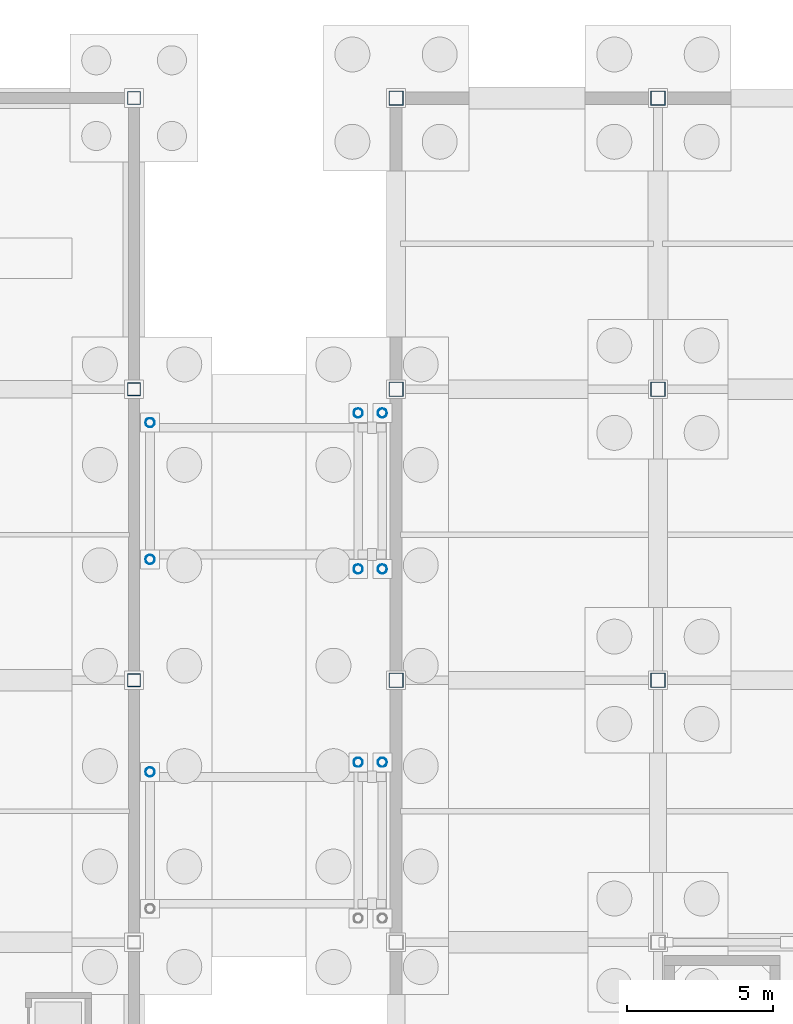
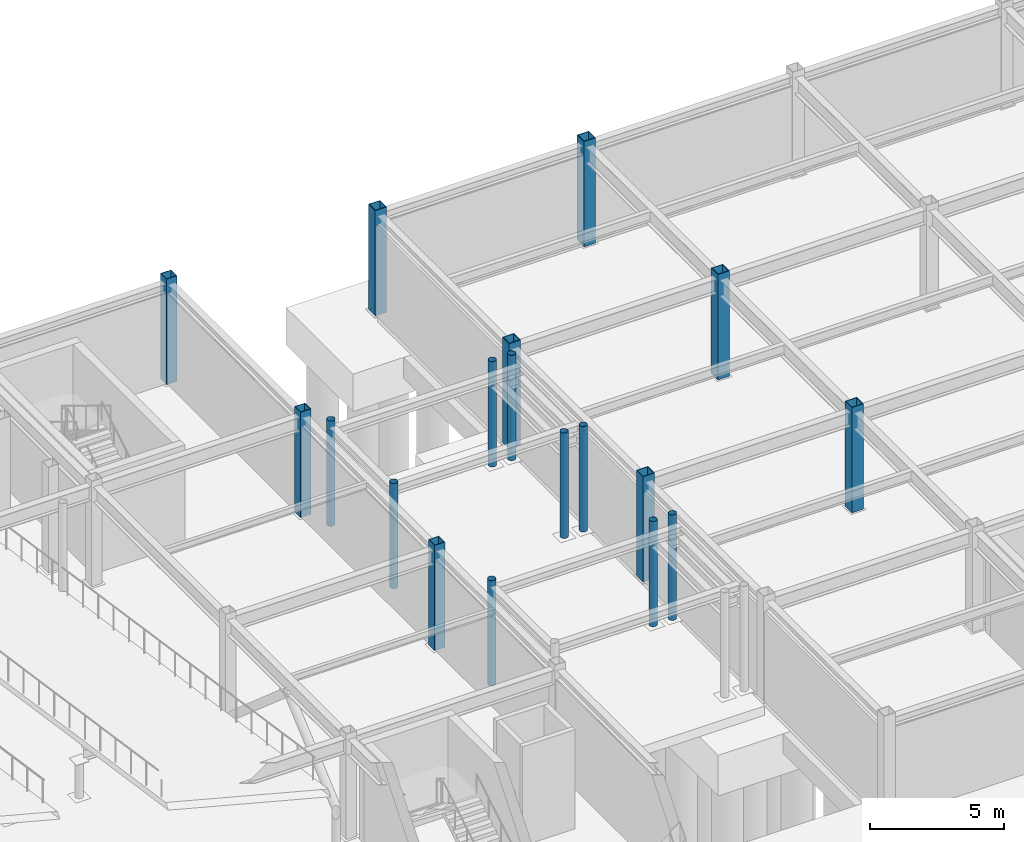
# One storey, part 27 of 74: 18 columns.
"""IFC4 building model written with IfcOpenShell, lengths in metres."""

from ifc_helpers import new_model, si_unit, direction, frame, origin, origin_2d, place, context, subcontext, project, spatial, hollow_rectangle, hollow_circle, extrude, material, material_profile, profile_set, type_object, element, save


model = new_model("IFC4")

# Units and contexts
model_context = context("Model", 3, precision=1e-05, world=origin(), true_north=direction((0.0, 1.0)))
body_context = subcontext(model_context, "Body", "Model", "MODEL_VIEW")
ifc_project = project(units=[si_unit("LENGTHUNIT", "METRE"), si_unit("AREAUNIT", "SQUARE_METRE"), si_unit("VOLUMEUNIT", "CUBIC_METRE"), si_unit("PLANEANGLEUNIT", "RADIAN"), si_unit("MASSUNIT", "GRAM", prefix="KILO")], contexts=[model_context])

# Site, building, storey
site_placement = place(None, origin())
site = spatial("IfcSite", under=ifc_project, at=site_placement, CompositionType="ELEMENT")
building_placement = place(site_placement, origin())
building = spatial("IfcBuilding", under=site, at=building_placement, Name="Suzunagisa Mobility Hub", CompositionType="ELEMENT")
storey_placement = place(building_placement, frame((0.0, 0.0, -4.800048828125)))
storey = spatial("IfcBuildingStorey", under=building, at=storey_placement, Name="B1", CompositionType="ELEMENT", Elevation=-4.800048828125)

# Columns
ifc_material = material(Name="Steel SN490B", Category="steel")
ifc_material_profile_1 = material_profile(ifc_material, hollow_circle(Radius=0.1591796875, WallThickness=0.01025390625, at=origin_2d()), Name="CHS-318.5x10.3")
ifc_profile_set_1 = profile_set([ifc_material_profile_1], Name="Steel SN490B")
column_type_1 = type_object("IfcColumnType", Name="Steel Column CL-09 CHS-318.5x10.3", PredefinedType="COLUMN", material=ifc_profile_set_1)
for number, where, z_axis, x_axis, name in (
    (1, (36.550048828125, 94.85009765625, 0.0), (0.0, 0.0, 1.0), (1.0, 0.0, 0.0), "B1 Column 93"),
    (2, (36.550048828125, 102.14990234375, 0.0), (0.0, 0.0, 1.0), (1.0, 0.0, 0.0), "B1 Column 94"),
    (3, (36.550048828125, 106.85009765625, 0.0), (0.0, 0.0, 1.0), (1.0, 0.0, 0.0), "B1 Column 95"),
    (4, (43.699951171875, 95.179931640625, 0.0), (0.0, 0.0, 1.0), (1.0, 0.0, 0.0), "B1 Column 106"),
    (5, (43.699951171875, 101.820068359375, 0.0), (0.0, 0.0, 1.0), (1.0, 0.0, 0.0), "B1 Column 107"),
    (6, (43.699951171875, 107.179931640625, 0.0), (0.0, 0.0, 1.0), (1.0, 0.0, 0.0), "B1 Column 108"),
    (7, (44.530029296875, 95.179931640625, 0.0), (0.0, 0.0, 1.0), (1.0, 0.0, 0.0), "B1 Column 112"),
    (8, (44.530029296875, 101.820068359375, 0.0), (0.0, 0.0, 1.0), (1.0, 0.0, 0.0), "B1 Column 113"),
    (9, (44.530029296875, 107.179931640625, 0.0), (0.0, 0.0, 1.0), (1.0, 0.0, 0.0), "B1 Column 114"),
):
    element("IfcColumn", number, at=place(storey_placement, frame(where, z_axis=z_axis, x_axis=x_axis)), inside=storey, type_object=column_type_1, Name=name, PredefinedType="COLUMN", context=body_context, shape_type="SweptSolid", body=[
        extrude(hollow_circle(Radius=0.1591796875, WallThickness=0.01025390625, at=origin_2d()), origin(), (0.0, 0.0, 1.0), 4.800048828125),
    ])
ifc_material_profile_2 = material_profile(ifc_material, hollow_rectangle(XDim=0.5, YDim=0.5, WallThickness=0.02490234375, at=origin_2d()), Name="BCR-500x500x25")
ifc_profile_set_2 = profile_set([ifc_material_profile_2], Name="Steel SN490B")
column_type_2 = type_object("IfcColumnType", Name="Steel Column CL-11 BCR-500x500x25", PredefinedType="COLUMN", material=ifc_profile_set_2)
for number, where, z_axis, x_axis, name in (
    (10, (45.0, 98.0, 0.0), (0.0, 0.0, 1.0), (1.0, 0.0, 0.0), "B1 Column 120"),
    (11, (45.0, 108.0, 0.0), (0.0, 0.0, 1.0), (1.0, 0.0, 0.0), "B1 Column 121"),
    (12, (45.0, 118.0, 0.0), (0.0, 0.0, 1.0), (1.0, 0.0, 0.0), "B1 Column 122"),
    (13, (54.0, 98.0, 0.0), (0.0, 0.0, 1.0), (1.0, 0.0, 0.0), "B1 Column 131"),
    (14, (54.0, 108.0, 0.0), (0.0, 0.0, 1.0), (1.0, 0.0, 0.0), "B1 Column 132"),
    (15, (54.0, 118.0, 0.0), (0.0, 0.0, 1.0), (1.0, 0.0, 0.0), "B1 Column 133"),
):
    element("IfcColumn", number, at=place(storey_placement, frame(where, z_axis=z_axis, x_axis=x_axis)), inside=storey, type_object=column_type_2, Name=name, PredefinedType="COLUMN", context=body_context, shape_type="SweptSolid", body=[
        extrude(hollow_rectangle(XDim=0.5, YDim=0.5, WallThickness=0.02490234375, at=origin_2d()), origin(), (0.0, 0.0, 1.0), 4.800048828125),
    ])
ifc_material_profile_3 = material_profile(ifc_material, hollow_rectangle(XDim=0.449951171875, YDim=0.449951171875, WallThickness=0.02197265625, at=origin_2d()), Name="BCR-450x450x22")
ifc_profile_set_3 = profile_set([ifc_material_profile_3], Name="Steel SN490B")
column_type_3 = type_object("IfcColumnType", Name="Steel Column CL-17 BCR-450x450x22", PredefinedType="COLUMN", material=ifc_profile_set_3)
for number, where, z_axis, x_axis, name in (
    (16, (36.0, 98.0, 0.0), (0.0, 0.0, 1.0), (1.0, 0.0, 0.0), "B1 Column 87"),
    (17, (36.0, 108.0, 0.0), (0.0, 0.0, 1.0), (1.0, 0.0, 0.0), "B1 Column 88"),
    (18, (36.0, 118.0, 0.0), (0.0, 0.0, 1.0), (1.0, 0.0, 0.0), "B1 Column 89"),
):
    element("IfcColumn", number, at=place(storey_placement, frame(where, z_axis=z_axis, x_axis=x_axis)), inside=storey, type_object=column_type_3, Name=name, PredefinedType="COLUMN", context=body_context, shape_type="SweptSolid", body=[
        extrude(hollow_rectangle(XDim=0.449951171875, YDim=0.449951171875, WallThickness=0.02197265625, at=origin_2d()), origin(), (0.0, 0.0, 1.0), 4.800048828125),
    ])

save(model, "model.ifc")
